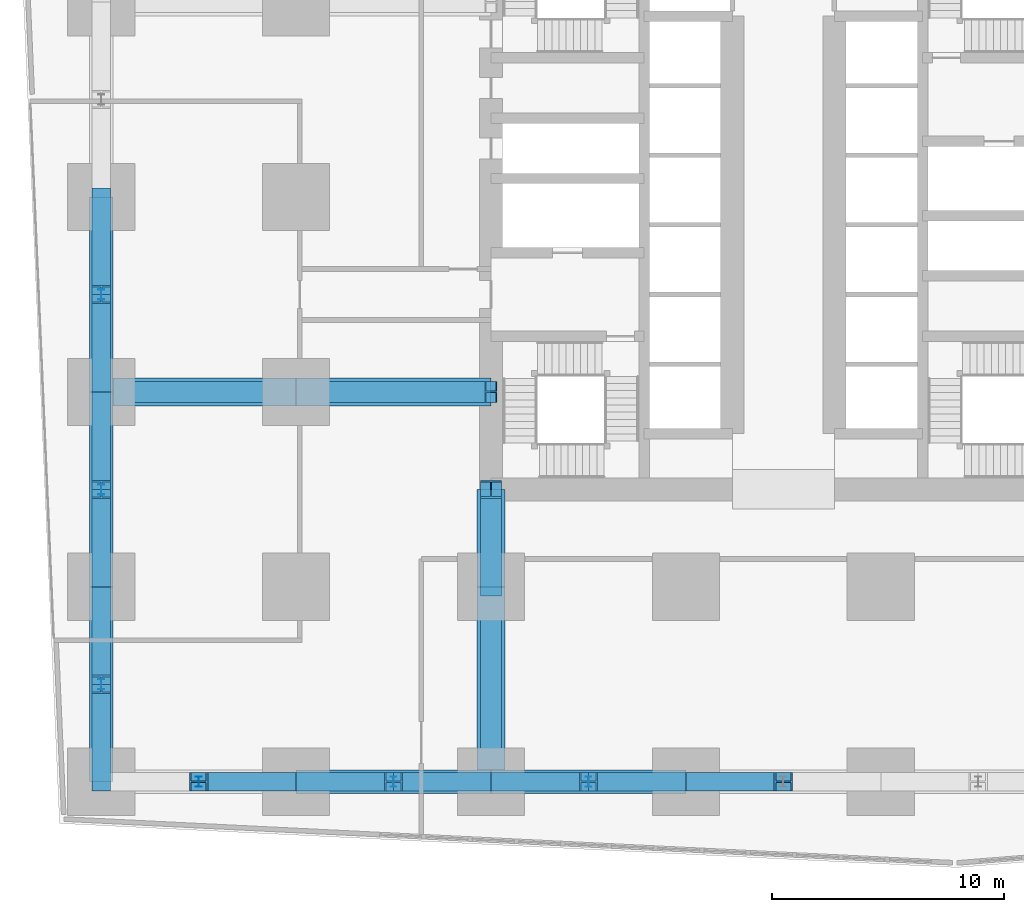
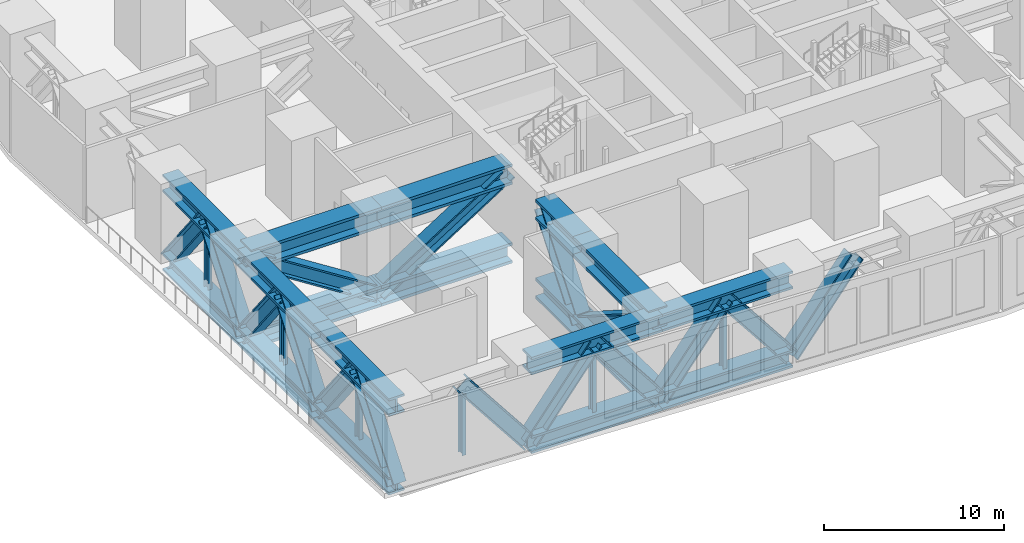
# One storey, part 2 of 16: 40 members.
"""IFC4 building model written with IfcOpenShell, lengths in metres."""

from ifc_helpers import new_model, si_unit, direction, frame, origin, origin_2d, place, context, subcontext, project, spatial, i_section, extrude, material, material_profile, profile_set, type_object, element, save


model = new_model("IFC4")

# Units and contexts
model_context = context("Model", 3, precision=1e-05, world=origin(), true_north=direction((0.0, 1.0)))
body_context = subcontext(model_context, "Body", "Model", "MODEL_VIEW")
ifc_project = project(units=[si_unit("LENGTHUNIT", "METRE"), si_unit("AREAUNIT", "SQUARE_METRE"), si_unit("VOLUMEUNIT", "CUBIC_METRE"), si_unit("PLANEANGLEUNIT", "RADIAN"), si_unit("MASSUNIT", "GRAM", prefix="KILO")], contexts=[model_context])

# Site, building, storey
site_placement = place(None, origin())
site = spatial("IfcSite", under=ifc_project, at=site_placement, CompositionType="ELEMENT")
building_placement = place(site_placement, origin())
building = spatial("IfcBuilding", under=site, at=building_placement, Name="Rekha Terrace Tower", CompositionType="ELEMENT")
storey_placement = place(building_placement, frame((0.0, 0.0, 85.39990234375)))
storey = spatial("IfcBuildingStorey", under=building, at=storey_placement, Name="L21", CompositionType="ELEMENT", Elevation=85.39990234375)

# Members
ifc_material = material(Name="Steel E350", Category="steel")
ifc_material_profile_1 = material_profile(ifc_material, i_section(OverallWidth=1.0, OverallDepth=1.199951171875, WebThickness=0.110107421875, FlangeThickness=0.14990234375, at=origin_2d()), Name="BU 1200x1000x110x150")
ifc_profile_set_1 = profile_set([ifc_material_profile_1], Name="Steel E350")
member_type_1 = type_object("IfcMemberType", Name="BC21 BU 1200x1000x110x150 belt truss chord", PredefinedType="CHORD", material=ifc_profile_set_1)
for number, where, z_axis, x_axis, name in (
    (1, (16.800048828125, 8.39990234375, 4.300048828125), (1.0, 0.0, 0.0), (0.0, 1.0, 0.0), "Belt top chord 3B-4B L21"),
    (2, (16.800048828125, 8.39990234375, -1.0498046875), (1.0, 0.0, 0.0), (0.0, 1.0, 0.0), "Belt bottom chord 3B-4B L21"),
):
    element("IfcMember", number, at=place(storey_placement, frame(where, z_axis=z_axis, x_axis=x_axis)), inside=storey, type_object=member_type_1, Name=name, PredefinedType="CHORD", context=body_context, shape_type="SweptSolid", body=[
        extrude(i_section(OverallWidth=1.0, OverallDepth=1.199951171875, WebThickness=0.110107421875, FlangeThickness=0.14990234375, at=origin_2d()), origin(), (0.0, 0.0, 1.0), 8.39990234375),
    ])
for number, where, z_axis, x_axis, name in (
    (3, (25.199951171875, 8.39990234375, 4.300048828125), (1.0, 0.0, 0.0), (0.0, 1.0, 0.0), "Belt top chord 4B-5B L21"),
    (4, (25.199951171875, 8.39990234375, -1.0498046875), (1.0, 0.0, 0.0), (0.0, 1.0, 0.0), "Belt bottom chord 4B-5B L21"),
    (5, (8.39990234375, 33.60009765625, 4.300048828125), (0.0, -1.0, 0.0), (1.0, 0.0, 0.0), "Belt top chord 2E-2D L21"),
    (6, (8.39990234375, 33.60009765625, -1.0498046875), (0.0, -1.0, 0.0), (1.0, 0.0, 0.0), "Belt bottom chord 2E-2D L21"),
):
    element("IfcMember", number, at=place(storey_placement, frame(where, z_axis=z_axis, x_axis=x_axis)), inside=storey, type_object=member_type_1, Name=name, PredefinedType="CHORD", context=body_context, shape_type="SweptSolid", body=[
        extrude(i_section(OverallWidth=1.0, OverallDepth=1.199951171875, WebThickness=0.110107421875, FlangeThickness=0.14990234375, at=origin_2d()), origin(), (0.0, 0.0, 1.0), 8.400146484375),
    ])
for number, where, z_axis, x_axis, name in (
    (7, (8.39990234375, 25.199951171875, 4.300048828125), (0.0, -1.0, 0.0), (1.0, 0.0, 0.0), "Belt top chord 2D-2C L21"),
    (8, (8.39990234375, 25.199951171875, -1.0498046875), (0.0, -1.0, 0.0), (1.0, 0.0, 0.0), "Belt bottom chord 2D-2C L21"),
):
    element("IfcMember", number, at=place(storey_placement, frame(where, z_axis=z_axis, x_axis=x_axis)), inside=storey, type_object=member_type_1, Name=name, PredefinedType="CHORD", context=body_context, shape_type="SweptSolid", body=[
        extrude(i_section(OverallWidth=1.0, OverallDepth=1.199951171875, WebThickness=0.110107421875, FlangeThickness=0.14990234375, at=origin_2d()), origin(), (0.0, 0.0, 1.0), 8.39990234375),
    ])
for number, where, z_axis, x_axis, name in (
    (9, (8.39990234375, 16.800048828125, 4.300048828125), (0.0, -1.0, 0.0), (1.0, 0.0, 0.0), "Belt top chord 2C-2B L21"),
    (10, (8.39990234375, 16.800048828125, -1.0498046875), (0.0, -1.0, 0.0), (1.0, 0.0, 0.0), "Belt bottom chord 2C-2B L21"),
):
    element("IfcMember", number, at=place(storey_placement, frame(where, z_axis=z_axis, x_axis=x_axis)), inside=storey, type_object=member_type_1, Name=name, PredefinedType="CHORD", context=body_context, shape_type="SweptSolid", body=[
        extrude(i_section(OverallWidth=1.0, OverallDepth=1.199951171875, WebThickness=0.110107421875, FlangeThickness=0.14990234375, at=origin_2d()), origin(), (0.0, 0.0, 1.0), 8.400146484375),
    ])
ifc_material_profile_2 = material_profile(ifc_material, i_section(OverallWidth=0.800048828125, OverallDepth=1.0, WebThickness=0.050048828125, FlangeThickness=0.090087890625, at=origin_2d()), Name="BU 1000x800x50x90")
ifc_profile_set_2 = profile_set([ifc_material_profile_2], Name="Steel E350")
member_type_2 = type_object("IfcMemberType", Name="BD21 BU 1000x800x50x90 belt truss diagonal", PredefinedType="BRACE", material=ifc_profile_set_2)
for number, where, z_axis, x_axis, name in (
    (11, (16.800048828125, 8.39990234375, -1.0498046875), (-0.617502861702, 0.0, 0.786568633871), (0.0, -1.0, 0.0), "Belt diagonal 2B-3B L21"),
    (12, (16.800048828125, 8.39990234375, -1.0498046875), (0.617502861702, 0.0, 0.786568633871), (0.0, 1.0, 0.0), "Belt diagonal 3B-4B L21"),
    (13, (25.199951171875, 8.39990234375, -1.0498046875), (-0.617502861702, 0.0, 0.786568633871), (0.0, -1.0, 0.0), "Belt diagonal 3B-4B L21"),
    (14, (25.199951171875, 8.39990234375, -1.0498046875), (0.617502861702, 0.0, 0.786568633871), (0.0, 1.0, 0.0), "Belt diagonal 4B-5B L21"),
):
    element("IfcMember", number, at=place(storey_placement, frame(where, z_axis=z_axis, x_axis=x_axis)), inside=storey, type_object=member_type_2, Name=name, PredefinedType="BRACE", context=body_context, shape_type="SweptSolid", body=[
        extrude(i_section(OverallWidth=0.800048828125, OverallDepth=1.0, WebThickness=0.050048828125, FlangeThickness=0.090087890625, at=origin_2d()), origin(), (0.0, 0.0, 1.0), 6.801513671875),
    ])
member_1_placement = place(storey_placement, frame((33.60009765625, 8.39990234375, -1.0498046875), z_axis=(-0.617525068892, 0.0, 0.786551199408), x_axis=(0.0, -1.0, 0.0)))
element("IfcMember", 15, at=member_1_placement, inside=storey, type_object=member_type_2, Name="Belt diagonal 4B-5B L21", PredefinedType="BRACE", context=body_context, shape_type="SweptSolid", body=[
    extrude(i_section(OverallWidth=0.800048828125, OverallDepth=1.0, WebThickness=0.050048828125, FlangeThickness=0.090087890625, at=origin_2d()), origin(), (0.0, 0.0, 1.0), 6.8017578125),
])
member_2_placement = place(storey_placement, frame((33.60009765625, 8.39990234375, -1.0498046875), z_axis=(0.617502861702, 0.0, 0.786568633871), x_axis=(0.0, 1.0, 0.0)))
element("IfcMember", 16, at=member_2_placement, inside=storey, type_object=member_type_2, Name="Belt diagonal 5B-6B L21", PredefinedType="BRACE", context=body_context, shape_type="SweptSolid", body=[
    extrude(i_section(OverallWidth=0.800048828125, OverallDepth=1.0, WebThickness=0.050048828125, FlangeThickness=0.090087890625, at=origin_2d()), origin(), (0.0, 0.0, 1.0), 6.801513671875),
])
member_3_placement = place(storey_placement, frame((8.39990234375, 33.60009765625, -1.0498046875), z_axis=(0.0, -0.617525068892, 0.786551199408), x_axis=(1.0, 0.0, 0.0)))
element("IfcMember", 17, at=member_3_placement, inside=storey, type_object=member_type_2, Name="Belt diagonal 2E-2D L21", PredefinedType="BRACE", context=body_context, shape_type="SweptSolid", body=[
    extrude(i_section(OverallWidth=0.800048828125, OverallDepth=1.0, WebThickness=0.050048828125, FlangeThickness=0.090087890625, at=origin_2d()), origin(), (0.0, 0.0, 1.0), 6.8017578125),
])
for number, where, z_axis, x_axis, name in (
    (18, (8.39990234375, 25.199951171875, -1.0498046875), (0.0, 0.617502861702, 0.786568633871), (-1.0, 0.0, 0.0), "Belt diagonal 2E-2D L21"),
    (19, (8.39990234375, 25.199951171875, -1.0498046875), (0.0, -0.617502861702, 0.786568633871), (1.0, 0.0, 0.0), "Belt diagonal 2D-2C L21"),
    (20, (8.39990234375, 16.800048828125, -1.0498046875), (0.0, 0.617502861702, 0.786568633871), (-1.0, 0.0, 0.0), "Belt diagonal 2D-2C L21"),
    (21, (8.39990234375, 16.800048828125, -1.0498046875), (0.0, -0.617502861702, 0.786568633871), (1.0, 0.0, 0.0), "Belt diagonal 2C-2B L21"),
):
    element("IfcMember", number, at=place(storey_placement, frame(where, z_axis=z_axis, x_axis=x_axis)), inside=storey, type_object=member_type_2, Name=name, PredefinedType="BRACE", context=body_context, shape_type="SweptSolid", body=[
        extrude(i_section(OverallWidth=0.800048828125, OverallDepth=1.0, WebThickness=0.050048828125, FlangeThickness=0.090087890625, at=origin_2d()), origin(), (0.0, 0.0, 1.0), 6.801513671875),
    ])
member_4_placement = place(storey_placement, frame((8.39990234375, 8.39990234375, -1.0498046875), z_axis=(0.0, 0.617525068892, 0.786551199408), x_axis=(-1.0, 0.0, 0.0)))
element("IfcMember", 22, at=member_4_placement, inside=storey, type_object=member_type_2, Name="Belt diagonal 2C-2B L21", PredefinedType="BRACE", context=body_context, shape_type="SweptSolid", body=[
    extrude(i_section(OverallWidth=0.800048828125, OverallDepth=1.0, WebThickness=0.050048828125, FlangeThickness=0.090087890625, at=origin_2d()), origin(), (0.0, 0.0, 1.0), 6.8017578125),
])
ifc_material_profile_3 = material_profile(ifc_material, i_section(OverallWidth=0.25, OverallDepth=0.449951171875, WebThickness=0.01123046875, FlangeThickness=0.017333984375, FilletRadius=0.014892578125, at=origin_2d()), Name="ISHB 450")
ifc_profile_set_3 = profile_set([ifc_material_profile_3], Name="Steel E350")
member_type_3 = type_object("IfcMemberType", Name="BV21 ISHB 450 belt truss post", PredefinedType="POST", material=ifc_profile_set_3)
for number, where, z_axis, x_axis, name in (
    (23, (12.60009765625, 8.39990234375, -0.449951171875), (0.0, 0.0, 1.0), (1.0, 0.0, 0.0), "Belt post 2B-3B L21"),
    (24, (21.0, 8.39990234375, -0.449951171875), (0.0, 0.0, 1.0), (1.0, 0.0, 0.0), "Belt post 3B-4B L21"),
    (25, (29.39990234375, 8.39990234375, -0.449951171875), (0.0, 0.0, 1.0), (1.0, 0.0, 0.0), "Belt post 4B-5B L21"),
    (26, (8.39990234375, 29.39990234375, -0.449951171875), (0.0, 0.0, 1.0), (1.0, 0.0, 0.0), "Belt post 2E-2D L21"),
    (27, (8.39990234375, 21.0, -0.449951171875), (0.0, 0.0, 1.0), (1.0, 0.0, 0.0), "Belt post 2D-2C L21"),
    (28, (8.39990234375, 12.60009765625, -0.449951171875), (0.0, 0.0, 1.0), (1.0, 0.0, 0.0), "Belt post 2C-2B L21"),
):
    element("IfcMember", number, at=place(storey_placement, frame(where, z_axis=z_axis, x_axis=x_axis)), inside=storey, type_object=member_type_3, Name=name, PredefinedType="POST", context=body_context, shape_type="SweptSolid", body=[
        extrude(i_section(OverallWidth=0.25, OverallDepth=0.449951171875, WebThickness=0.01123046875, FlangeThickness=0.017333984375, FilletRadius=0.014892578125, at=origin_2d()), origin(), (0.0, 0.0, 1.0), 4.150146484375),
    ])
ifc_material_profile_4 = material_profile(ifc_material, i_section(OverallWidth=1.199951171875, OverallDepth=1.39990234375, WebThickness=0.139892578125, FlangeThickness=0.18994140625, at=origin_2d()), Name="BU 1400x1200x140x190")
ifc_profile_set_4 = profile_set([ifc_material_profile_4], Name="Steel E350")
member_type_4 = type_object("IfcMemberType", Name="OC21 BU 1400x1200x140x190 outrigger chord", PredefinedType="CHORD", material=ifc_profile_set_4)
for number, where, z_axis, x_axis, name in (
    (29, (25.199951171875, 25.199951171875, 4.300048828125), (-1.0, 0.0, 0.0), (0.0, -1.0, 0.0), "Outrigger top chord WD-1 L21"),
    (30, (25.199951171875, 25.199951171875, -1.0498046875), (-1.0, 0.0, 0.0), (0.0, -1.0, 0.0), "Outrigger bottom chord WD-1 L21"),
):
    element("IfcMember", number, at=place(storey_placement, frame(where, z_axis=z_axis, x_axis=x_axis)), inside=storey, type_object=member_type_4, Name=name, PredefinedType="CHORD", context=body_context, shape_type="SweptSolid", body=[
        extrude(i_section(OverallWidth=1.199951171875, OverallDepth=1.39990234375, WebThickness=0.139892578125, FlangeThickness=0.18994140625, at=origin_2d()), origin(), (0.0, 0.0, 1.0), 8.39990234375),
    ])
for number, where, z_axis, x_axis, name in (
    (31, (16.800048828125, 25.199951171875, 4.300048828125), (-1.0, 0.0, 0.0), (0.0, -1.0, 0.0), "Outrigger top chord WD-2 L21"),
    (32, (16.800048828125, 25.199951171875, -1.0498046875), (-1.0, 0.0, 0.0), (0.0, -1.0, 0.0), "Outrigger bottom chord WD-2 L21"),
):
    element("IfcMember", number, at=place(storey_placement, frame(where, z_axis=z_axis, x_axis=x_axis)), inside=storey, type_object=member_type_4, Name=name, PredefinedType="CHORD", context=body_context, shape_type="SweptSolid", body=[
        extrude(i_section(OverallWidth=1.199951171875, OverallDepth=1.39990234375, WebThickness=0.139892578125, FlangeThickness=0.18994140625, at=origin_2d()), origin(), (0.0, 0.0, 1.0), 8.400146484375),
    ])
for number, where, z_axis, x_axis, name in (
    (33, (25.199951171875, 21.0, 4.300048828125), (0.0, -1.0, 0.0), (1.0, 0.0, 0.0), "Outrigger top chord S4-1 L21"),
    (34, (25.199951171875, 21.0, -1.0498046875), (0.0, -1.0, 0.0), (1.0, 0.0, 0.0), "Outrigger bottom chord S4-1 L21"),
):
    element("IfcMember", number, at=place(storey_placement, frame(where, z_axis=z_axis, x_axis=x_axis)), inside=storey, type_object=member_type_4, Name=name, PredefinedType="CHORD", context=body_context, shape_type="SweptSolid", body=[
        extrude(i_section(OverallWidth=1.199951171875, OverallDepth=1.39990234375, WebThickness=0.139892578125, FlangeThickness=0.18994140625, at=origin_2d()), origin(), (0.0, 0.0, 1.0), 4.199951171875),
    ])
for number, where, z_axis, x_axis, name in (
    (35, (25.199951171875, 16.800048828125, 4.300048828125), (0.0, -1.0, 0.0), (1.0, 0.0, 0.0), "Outrigger top chord S4-2 L21"),
    (36, (25.199951171875, 16.800048828125, -1.0498046875), (0.0, -1.0, 0.0), (1.0, 0.0, 0.0), "Outrigger bottom chord S4-2 L21"),
):
    element("IfcMember", number, at=place(storey_placement, frame(where, z_axis=z_axis, x_axis=x_axis)), inside=storey, type_object=member_type_4, Name=name, PredefinedType="CHORD", context=body_context, shape_type="SweptSolid", body=[
        extrude(i_section(OverallWidth=1.199951171875, OverallDepth=1.39990234375, WebThickness=0.139892578125, FlangeThickness=0.18994140625, at=origin_2d()), origin(), (0.0, 0.0, 1.0), 8.400146484375),
    ])
ifc_material_profile_5 = material_profile(ifc_material, i_section(OverallWidth=0.89990234375, OverallDepth=1.0, WebThickness=0.06005859375, FlangeThickness=0.10009765625, at=origin_2d()), Name="BU 1000x900x60x100")
ifc_profile_set_5 = profile_set([ifc_material_profile_5], Name="Steel E350")
member_type_5 = type_object("IfcMemberType", Name="OD21 BU 1000x900x60x100 outrigger diagonal", PredefinedType="BRACE", material=ifc_profile_set_5)
for number, where, z_axis, x_axis, name in (
    (37, (25.199951171875, 25.199951171875, 4.300048828125), (-0.843458530905, 0.0, -0.537194291336), (0.0, -1.0, 0.0), "Outrigger diagonal WD-1 L21"),
    (38, (16.800048828125, 25.199951171875, -1.0498046875), (-0.843465605129, 0.0, 0.537183183806), (0.0, -1.0, 0.0), "Outrigger diagonal WD-2 L21"),
):
    element("IfcMember", number, at=place(storey_placement, frame(where, z_axis=z_axis, x_axis=x_axis)), inside=storey, type_object=member_type_5, Name=name, PredefinedType="BRACE", context=body_context, shape_type="SweptSolid", body=[
        extrude(i_section(OverallWidth=0.89990234375, OverallDepth=1.0, WebThickness=0.06005859375, FlangeThickness=0.10009765625, at=origin_2d()), origin(), (0.0, 0.0, 1.0), 9.958984375),
    ])
member_5_placement = place(storey_placement, frame((25.199951171875, 21.0, 4.300048828125), z_axis=(0.0, -0.617502861702, -0.786568633871), x_axis=(1.0, 0.0, 0.0)))
element("IfcMember", 39, at=member_5_placement, inside=storey, type_object=member_type_5, Name="Outrigger diagonal S4-1 L21", PredefinedType="BRACE", context=body_context, shape_type="SweptSolid", body=[
    extrude(i_section(OverallWidth=0.89990234375, OverallDepth=1.0, WebThickness=0.06005859375, FlangeThickness=0.10009765625, at=origin_2d()), origin(), (0.0, 0.0, 1.0), 6.801513671875),
])
member_6_placement = place(storey_placement, frame((25.199951171875, 16.800048828125, -1.0498046875), z_axis=(0.0, -0.843465605129, 0.537183183806), x_axis=(1.0, 0.0, 0.0)))
element("IfcMember", 40, at=member_6_placement, inside=storey, type_object=member_type_5, Name="Outrigger diagonal S4-2 L21", PredefinedType="BRACE", context=body_context, shape_type="SweptSolid", body=[
    extrude(i_section(OverallWidth=0.89990234375, OverallDepth=1.0, WebThickness=0.06005859375, FlangeThickness=0.10009765625, at=origin_2d()), origin(), (0.0, 0.0, 1.0), 9.958984375),
])

save(model, "model.ifc")
